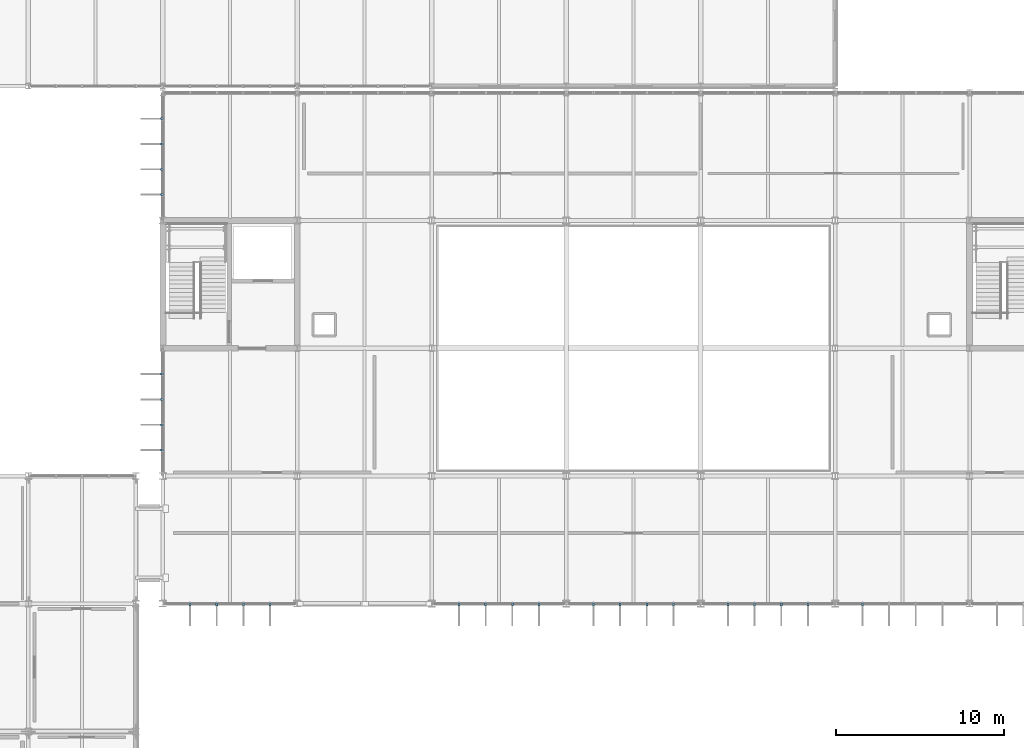
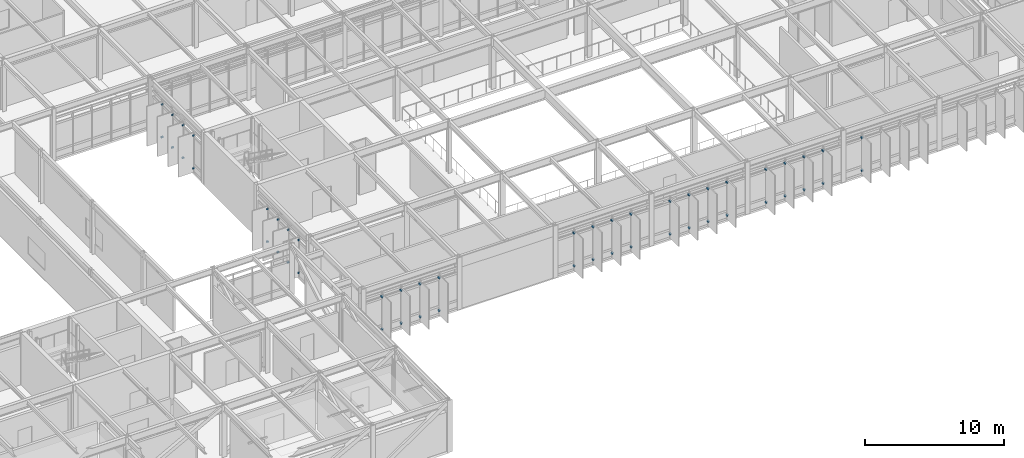
# One storey, part 94 of 104: 50 discrete accessories.
"""IFC4 building model written with IfcOpenShell, lengths in metres."""

from ifc_helpers import new_model, si_unit, direction, frame, origin, origin_2d, place, context, subcontext, project, spatial, rectangle, extrude, material, layer, layer_set, type_object, element, save


model = new_model("IFC4")

# Units and contexts
model_context = context("Model", 3, precision=1e-05, world=origin(), true_north=direction((0.0, 1.0)))
body_context = subcontext(model_context, "Body", "Model", "MODEL_VIEW")
ifc_project = project(units=[si_unit("LENGTHUNIT", "METRE"), si_unit("AREAUNIT", "SQUARE_METRE"), si_unit("VOLUMEUNIT", "CUBIC_METRE"), si_unit("PLANEANGLEUNIT", "RADIAN"), si_unit("MASSUNIT", "GRAM", prefix="KILO")], contexts=[model_context])

# Site, building, storey
site_placement = place(None, origin())
site = spatial("IfcSite", under=ifc_project, at=site_placement, CompositionType="ELEMENT")
building_placement = place(site_placement, origin())
building = spatial("IfcBuilding", under=site, at=building_placement, Name="Zulena Civic Courthouse", CompositionType="ELEMENT")
storey_placement = place(building_placement, frame((0.0, 0.0, 15.60009765625)))
storey = spatial("IfcBuildingStorey", under=building, at=storey_placement, Name="L03", CompositionType="ELEMENT", Elevation=15.60009765625)

# Discrete accessories
ifc_material = material(Name="Gold anodised architectural aluminium AA6063-T6", Category="aluminium")
ifc_layer = layer(ifc_material, 0.1201171875)
ifc_layer_set = layer_set([ifc_layer], Name="Gold anodised architectural aluminium AA6063-T6")
discrete_accessory_type = type_object("IfcDiscreteAccessoryType", Name="FinOutriggerBracket", PredefinedType="BRACKET", material=ifc_layer_set)
for number, where, z_axis, x_axis, name in (
    (1, (67.955078125, 24.341552734375, 0.33984375), (0.0, 0.0, 1.0), (-1.0, 0.0, 0.0), "brk:V4:L03:0:1:1:16.00"),
    (2, (67.955078125, 24.341552734375, 3.229736328125), (0.0, 0.0, 1.0), (-1.0, 0.0, 0.0), "brk:V4:L03:0:1:1:18.89"),
    (3, (67.955078125, 25.84716796875, 0.33984375), (0.0, 0.0, 1.0), (-1.0, 0.0, 0.0), "brk:V4:L03:0:1:2:16.00"),
    (4, (67.955078125, 25.84716796875, 3.229736328125), (0.0, 0.0, 1.0), (-1.0, 0.0, 0.0), "brk:V4:L03:0:1:2:18.89"),
    (5, (67.955078125, 27.352783203125, 0.33984375), (0.0, 0.0, 1.0), (-1.0, 0.0, 0.0), "brk:V4:L03:0:1:3:16.00"),
    (6, (67.955078125, 27.352783203125, 3.229736328125), (0.0, 0.0, 1.0), (-1.0, 0.0, 0.0), "brk:V4:L03:0:1:3:18.89"),
    (7, (67.955078125, 28.8583984375, 0.33984375), (0.0, 0.0, 1.0), (-1.0, 0.0, 0.0), "brk:V4:L03:0:1:4:16.00"),
    (8, (67.955078125, 28.8583984375, 3.229736328125), (0.0, 0.0, 1.0), (-1.0, 0.0, 0.0), "brk:V4:L03:0:1:4:18.89"),
    (9, (67.955078125, 39.54150390625, 0.33984375), (0.0, 0.0, 1.0), (-1.0, 0.0, 0.0), "brk:V4:L03:0:3:1:16.00"),
    (10, (67.955078125, 39.54150390625, 3.229736328125), (0.0, 0.0, 1.0), (-1.0, 0.0, 0.0), "brk:V4:L03:0:3:1:18.89"),
    (11, (67.955078125, 41.047119140625, 0.33984375), (0.0, 0.0, 1.0), (-1.0, 0.0, 0.0), "brk:V4:L03:0:3:2:16.00"),
    (12, (67.955078125, 41.047119140625, 3.229736328125), (0.0, 0.0, 1.0), (-1.0, 0.0, 0.0), "brk:V4:L03:0:3:2:18.89"),
    (13, (67.955078125, 42.552734375, 0.33984375), (0.0, 0.0, 1.0), (-1.0, 0.0, 0.0), "brk:V4:L03:0:3:3:16.00"),
    (14, (67.955078125, 42.552734375, 3.229736328125), (0.0, 0.0, 1.0), (-1.0, 0.0, 0.0), "brk:V4:L03:0:3:3:18.89"),
    (15, (67.955078125, 44.058349609375, 0.33984375), (0.0, 0.0, 1.0), (-1.0, 0.0, 0.0), "brk:V4:L03:0:3:4:16.00"),
    (16, (67.955078125, 44.058349609375, 3.229736328125), (0.0, 0.0, 1.0), (-1.0, 0.0, 0.0), "brk:V4:L03:0:3:4:18.89"),
    (17, (109.62158203125, 15.155029296875, 0.33984375), (0.0, 0.0, 1.0), (0.0, -1.0, 0.0), "brk:V4:L03:3:1:4:16.00"),
    (18, (109.62158203125, 15.155029296875, 3.229736328125), (0.0, 0.0, 1.0), (0.0, -1.0, 0.0), "brk:V4:L03:3:1:4:18.89"),
    (19, (106.37841796875, 15.155029296875, 0.33984375), (0.0, 0.0, 1.0), (0.0, -1.0, 0.0), "brk:V4:L03:3:2:1:16.00"),
    (20, (106.37841796875, 15.155029296875, 3.229736328125), (0.0, 0.0, 1.0), (0.0, -1.0, 0.0), "brk:V4:L03:3:2:1:18.89"),
    (21, (104.792724609375, 15.155029296875, 0.33984375), (0.0, 0.0, 1.0), (0.0, -1.0, 0.0), "brk:V4:L03:3:2:2:16.00"),
    (22, (104.792724609375, 15.155029296875, 3.229736328125), (0.0, 0.0, 1.0), (0.0, -1.0, 0.0), "brk:V4:L03:3:2:2:18.89"),
    (23, (103.207275390625, 15.155029296875, 0.33984375), (0.0, 0.0, 1.0), (0.0, -1.0, 0.0), "brk:V4:L03:3:2:3:16.00"),
    (24, (103.207275390625, 15.155029296875, 3.229736328125), (0.0, 0.0, 1.0), (0.0, -1.0, 0.0), "brk:V4:L03:3:2:3:18.89"),
    (25, (101.62158203125, 15.155029296875, 0.33984375), (0.0, 0.0, 1.0), (0.0, -1.0, 0.0), "brk:V4:L03:3:2:4:16.00"),
    (26, (101.62158203125, 15.155029296875, 3.229736328125), (0.0, 0.0, 1.0), (0.0, -1.0, 0.0), "brk:V4:L03:3:2:4:18.89"),
    (27, (98.37841796875, 15.155029296875, 0.33984375), (0.0, 0.0, 1.0), (0.0, -1.0, 0.0), "brk:V4:L03:3:3:1:16.00"),
    (28, (98.37841796875, 15.155029296875, 3.229736328125), (0.0, 0.0, 1.0), (0.0, -1.0, 0.0), "brk:V4:L03:3:3:1:18.89"),
    (29, (96.792724609375, 15.155029296875, 0.33984375), (0.0, 0.0, 1.0), (0.0, -1.0, 0.0), "brk:V4:L03:3:3:2:16.00"),
    (30, (96.792724609375, 15.155029296875, 3.229736328125), (0.0, 0.0, 1.0), (0.0, -1.0, 0.0), "brk:V4:L03:3:3:2:18.89"),
    (31, (95.207275390625, 15.155029296875, 0.33984375), (0.0, 0.0, 1.0), (0.0, -1.0, 0.0), "brk:V4:L03:3:3:3:16.00"),
    (32, (95.207275390625, 15.155029296875, 3.229736328125), (0.0, 0.0, 1.0), (0.0, -1.0, 0.0), "brk:V4:L03:3:3:3:18.89"),
    (33, (93.62158203125, 15.155029296875, 0.33984375), (0.0, 0.0, 1.0), (0.0, -1.0, 0.0), "brk:V4:L03:3:3:4:16.00"),
    (34, (93.62158203125, 15.155029296875, 3.229736328125), (0.0, 0.0, 1.0), (0.0, -1.0, 0.0), "brk:V4:L03:3:3:4:18.89"),
    (35, (90.37841796875, 15.155029296875, 0.33984375), (0.0, 0.0, 1.0), (0.0, -1.0, 0.0), "brk:V4:L03:3:4:1:16.00"),
    (36, (90.37841796875, 15.155029296875, 3.229736328125), (0.0, 0.0, 1.0), (0.0, -1.0, 0.0), "brk:V4:L03:3:4:1:18.89"),
    (37, (88.792724609375, 15.155029296875, 0.33984375), (0.0, 0.0, 1.0), (0.0, -1.0, 0.0), "brk:V4:L03:3:4:2:16.00"),
    (38, (88.792724609375, 15.155029296875, 3.229736328125), (0.0, 0.0, 1.0), (0.0, -1.0, 0.0), "brk:V4:L03:3:4:2:18.89"),
    (39, (87.207275390625, 15.155029296875, 0.33984375), (0.0, 0.0, 1.0), (0.0, -1.0, 0.0), "brk:V4:L03:3:4:3:16.00"),
    (40, (87.207275390625, 15.155029296875, 3.229736328125), (0.0, 0.0, 1.0), (0.0, -1.0, 0.0), "brk:V4:L03:3:4:3:18.89"),
    (41, (85.62158203125, 15.155029296875, 0.33984375), (0.0, 0.0, 1.0), (0.0, -1.0, 0.0), "brk:V4:L03:3:4:4:16.00"),
    (42, (85.62158203125, 15.155029296875, 3.229736328125), (0.0, 0.0, 1.0), (0.0, -1.0, 0.0), "brk:V4:L03:3:4:4:18.89"),
    (43, (74.37841796875, 15.155029296875, 0.33984375), (0.0, 0.0, 1.0), (0.0, -1.0, 0.0), "brk:V4:L03:3:6:1:16.00"),
    (44, (74.37841796875, 15.155029296875, 3.229736328125), (0.0, 0.0, 1.0), (0.0, -1.0, 0.0), "brk:V4:L03:3:6:1:18.89"),
    (45, (72.792724609375, 15.155029296875, 0.33984375), (0.0, 0.0, 1.0), (0.0, -1.0, 0.0), "brk:V4:L03:3:6:2:16.00"),
    (46, (72.792724609375, 15.155029296875, 3.229736328125), (0.0, 0.0, 1.0), (0.0, -1.0, 0.0), "brk:V4:L03:3:6:2:18.89"),
    (47, (71.207275390625, 15.155029296875, 0.33984375), (0.0, 0.0, 1.0), (0.0, -1.0, 0.0), "brk:V4:L03:3:6:3:16.00"),
    (48, (71.207275390625, 15.155029296875, 3.229736328125), (0.0, 0.0, 1.0), (0.0, -1.0, 0.0), "brk:V4:L03:3:6:3:18.89"),
    (49, (69.62158203125, 15.155029296875, 0.33984375), (0.0, 0.0, 1.0), (0.0, -1.0, 0.0), "brk:V4:L03:3:6:4:16.00"),
    (50, (69.62158203125, 15.155029296875, 3.229736328125), (0.0, 0.0, 1.0), (0.0, -1.0, 0.0), "brk:V4:L03:3:6:4:18.89"),
):
    element("IfcDiscreteAccessory", number, at=place(storey_placement, frame(where, z_axis=z_axis, x_axis=x_axis)), inside=storey, type_object=discrete_accessory_type, Name=name, PredefinedType="BRACKET", context=body_context, shape_type="SweptSolid", body=[
        extrude(rectangle(XDim=0.179931640625, YDim=0.1201171875, at=origin_2d()), origin(), (0.0, 0.0, 1.0), 0.1201171875),
    ])

save(model, "model.ifc")
